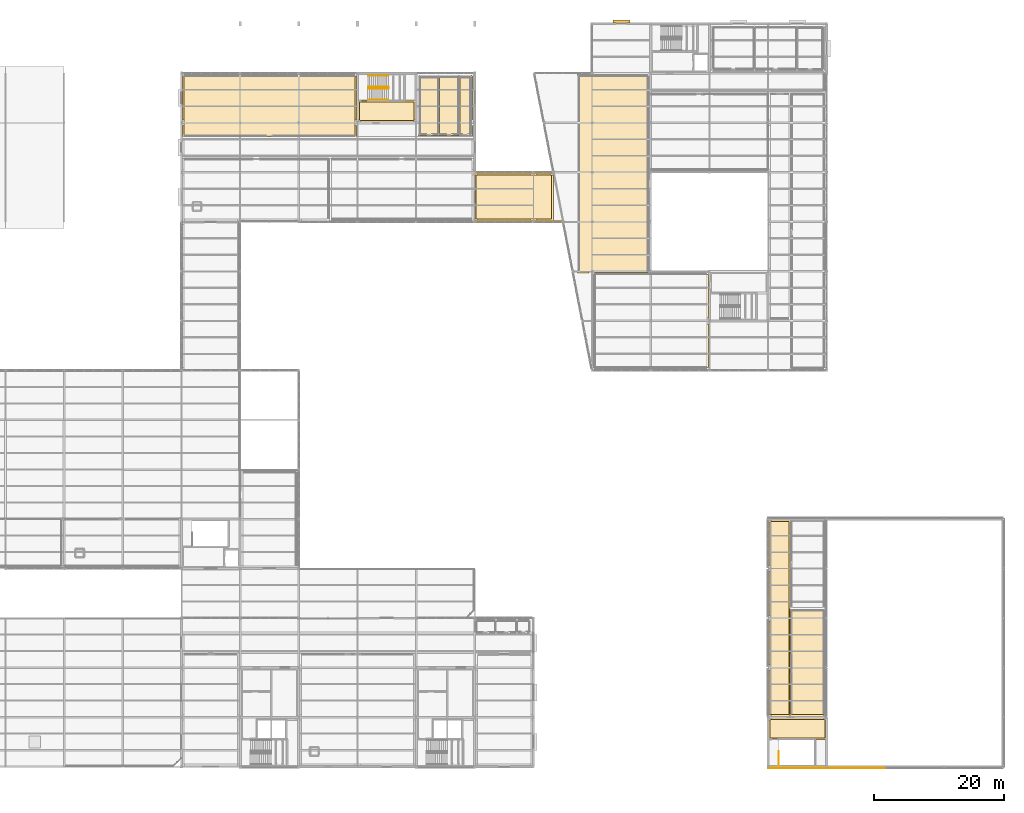
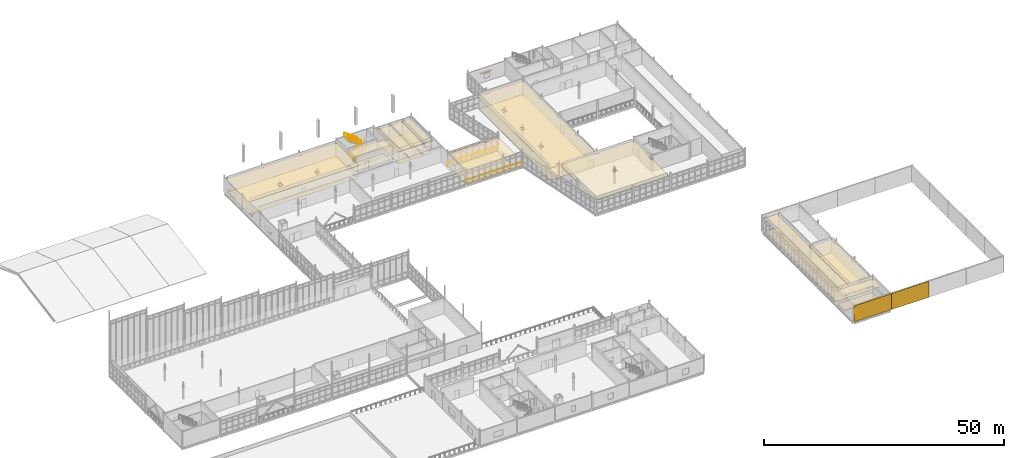
# One storey, part 164 of 166: 23 coverings, 6 railings, 1 shading device.
"""IFC4 building model written with IfcOpenShell, lengths in metres."""

from ifc_helpers import new_model, si_unit, direction, frame, origin, origin_2d, place, context, subcontext, project, spatial, polyline, rectangle, circle, outline, extrude, material, layer, layer_set, type_object, element, save


model = new_model("IFC4")

# Units and contexts
model_context = context("Model", 3, precision=1e-05, world=origin(), true_north=direction((0.0, 1.0)))
body_context = subcontext(model_context, "Body", "Model", "MODEL_VIEW")
ifc_project = project(units=[si_unit("LENGTHUNIT", "METRE"), si_unit("AREAUNIT", "SQUARE_METRE"), si_unit("VOLUMEUNIT", "CUBIC_METRE"), si_unit("PLANEANGLEUNIT", "RADIAN"), si_unit("MASSUNIT", "GRAM", prefix="KILO")], contexts=[model_context])

# Site, building, storey
site_placement = place(None, origin())
site = spatial("IfcSite", under=ifc_project, at=site_placement, CompositionType="ELEMENT")
building_placement = place(site_placement, origin())
building = spatial("IfcBuilding", under=site, at=building_placement, Name="Caisbarro Railhouse Central Library", CompositionType="ELEMENT")
storey_placement = place(building_placement, frame((0.0, 0.0, 9.360107421875)))
storey = spatial("IfcBuildingStorey", under=building, at=storey_placement, Name="L02", CompositionType="ELEMENT", Elevation=9.360107421875)

# Coverings
ifc_material_1 = material(Name="Extruded architectural terracotta rainscreen", Category="masonry")
ifc_layer_1 = layer(ifc_material_1, 0.054931640625, Name="Extruded architectural terracotta rainscreen")
ifc_layer_set_1 = layer_set([ifc_layer_1], Name="Extruded architectural terracotta rainscreen")
covering_type_1 = type_object("IfcCoveringType", Name="CLD-TER01", PredefinedType="CLADDING", material=ifc_layer_set_1)
for number, where, z_axis, x_axis, name in (
    (1, (148.5, -0.17138671875, 0.02978515625), (0.0, 0.0, 1.0), (1.0, 0.0, 0.0), "TER01 facade cladding L02-061"),
    (2, (157.5, -0.17138671875, 0.02978515625), (0.0, 0.0, 1.0), (1.0, 0.0, 0.0), "TER01 facade cladding L02-063"),
):
    element("IfcCovering", number, at=place(storey_placement, frame(where, z_axis=z_axis, x_axis=x_axis)), inside=storey, type_object=covering_type_1, Name=name, PredefinedType="CLADDING", context=body_context, shape_type="SweptSolid", body=[
        extrude(rectangle(XDim=8.9599609375, YDim=0.054931640625, at=origin_2d()), origin(), (0.0, 0.0, 1.0), 4.080078125),
    ])
ifc_material_2 = material(Name="Perforated mineral-fibre acoustic ceiling tile")
ifc_layer_2 = layer(ifc_material_2, 0.01806640625, Name="Perforated mineral-fibre acoustic ceiling tile")
ifc_layer_set_2 = layer_set([ifc_layer_2], Name="Perforated mineral-fibre acoustic ceiling tile")
covering_type_2 = type_object("IfcCoveringType", Name="COV-CL01", PredefinedType="CEILING", material=ifc_layer_set_2)
covering_1_placement = place(storey_placement, frame((0.0, 0.0, 3.25)))
element("IfcCovering", 3, at=covering_1_placement, inside=storey, type_object=covering_type_2, Name="CL01 acoustic ceiling Stair Lobby K5", PredefinedType="CEILING", context=body_context, shape_type="SweptSolid", body=[
    extrude(outline(polyline([(89.9599609375, 102.260009765625), (89.9599609375, 99.239990234375), (89.56005859375, 99.239990234375), (89.56005859375, 98.889892578125), (81.43994140625, 98.889892578125), (81.43994140625, 99.239990234375), (81.0400390625, 99.239990234375), (81.0400390625, 102.260009765625), (89.9599609375, 102.260009765625)])), origin(), (0.0, 0.0, 1.0), 0.017822265625),
])
covering_2_placement = place(storey_placement, frame((0.0, 0.0, 3.25)))
element("IfcCovering", 4, at=covering_2_placement, inside=storey, type_object=covering_type_2, Name="CL01 acoustic ceiling Stair Lobby K9", PredefinedType="CEILING", context=body_context, shape_type="SweptSolid", body=[
    extrude(outline(polyline([(144.43994140625, 7.159912109375), (144.43994140625, 7.510009765625), (152.56005859375, 7.510009765625), (152.56005859375, 7.159912109375), (152.9599609375, 7.159912109375), (152.9599609375, 4.139892578125), (144.0400390625, 4.139892578125), (144.0400390625, 7.159912109375), (144.43994140625, 7.159912109375)])), origin(), (0.0, 0.0, 1.0), 0.017822265625),
])
covering_3_placement = place(storey_placement, frame((0.0, 0.0, 3.25)))
element("IfcCovering", 5, at=covering_3_placement, inside=storey, type_object=covering_type_2, Name="CL01 acoustic ceiling Civic Oral-History Seminar Room", PredefinedType="CEILING", context=body_context, shape_type="SweptSolid", body=[
    extrude(outline(polyline([(62.56005859375, 106.260009765625), (62.56005859375, 105.9599609375), (63.43994140625, 105.9599609375), (63.43994140625, 106.260009765625), (71.56005859375, 106.260009765625), (71.56005859375, 105.9599609375), (72.43994140625, 105.9599609375), (72.43994140625, 106.260009765625), (80.56005859375, 106.260009765625), (80.56005859375, 105.9599609375), (80.860107421875, 105.9599609375), (80.860107421875, 99.239990234375), (80.56005859375, 99.239990234375), (80.56005859375, 98.360107421875), (80.860107421875, 98.360107421875), (80.860107421875, 96.5400390625), (54.139892578125, 96.5400390625), (54.139892578125, 98.360107421875), (54.43994140625, 98.360107421875), (54.43994140625, 99.239990234375), (54.139892578125, 99.239990234375), (54.139892578125, 105.9599609375), (54.43994140625, 105.9599609375), (54.43994140625, 106.260009765625), (62.56005859375, 106.260009765625)]), holes=[polyline([(62.56005859375, 99.239990234375), (62.56005859375, 98.360107421875), (63.43994140625, 98.360107421875), (63.43994140625, 99.239990234375), (62.56005859375, 99.239990234375)]), polyline([(72.43994140625, 98.360107421875), (72.43994140625, 99.239990234375), (71.56005859375, 99.239990234375), (71.56005859375, 98.360107421875), (72.43994140625, 98.360107421875)])]), origin(), (0.0, 0.0, 1.0), 0.017822265625),
])
covering_4_placement = place(storey_placement, frame((0.0, 0.0, 3.25)))
element("IfcCovering", 6, at=covering_4_placement, inside=storey, type_object=covering_type_2, Name="CL01 acoustic ceiling Male WC L02-V6", PredefinedType="CEILING", context=body_context, shape_type="SweptSolid", body=[
    extrude(outline(polyline([(90.43994140625, 98.360107421875), (90.43994140625, 99.239990234375), (90.340087890625, 99.239990234375), (90.340087890625, 105.9599609375), (90.43994140625, 105.9599609375), (90.43994140625, 106.06005859375), (93.676025390625, 106.06005859375), (93.676025390625, 96.739990234375), (90.340087890625, 96.739990234375), (90.340087890625, 98.360107421875), (90.43994140625, 98.360107421875)])), origin(), (0.0, 0.0, 1.0), 0.017822265625),
])
covering_5_placement = place(storey_placement, frame((0.0, 0.0, 3.25)))
element("IfcCovering", 7, at=covering_5_placement, inside=storey, type_object=covering_type_2, Name="CL01 acoustic ceiling Female WC L02-V6", PredefinedType="CEILING", context=body_context, shape_type="SweptSolid", body=[
    extrude(outline(polyline([(93.35595703125, 96.739990234375), (93.35595703125, 106.06005859375), (96.7919921875, 106.06005859375), (96.7919921875, 96.739990234375), (93.35595703125, 96.739990234375)])), origin(), (0.0, 0.0, 1.0), 0.017822265625),
])
covering_6_placement = place(storey_placement, frame((0.0, 0.0, 3.25)))
element("IfcCovering", 8, at=covering_6_placement, inside=storey, type_object=covering_type_2, Name="CL01 acoustic ceiling Accessible WC L02-V6", PredefinedType="CEILING", context=body_context, shape_type="SweptSolid", body=[
    extrude(outline(polyline([(98.56005859375, 106.06005859375), (98.56005859375, 105.9599609375), (98.659912109375, 105.9599609375), (98.659912109375, 99.239990234375), (98.56005859375, 99.239990234375), (98.56005859375, 98.360107421875), (98.659912109375, 98.360107421875), (98.659912109375, 96.739990234375), (96.471923828125, 96.739990234375), (96.471923828125, 106.06005859375), (98.56005859375, 106.06005859375)])), origin(), (0.0, 0.0, 1.0), 0.017822265625),
])
covering_7_placement = place(storey_placement, frame((0.0, 0.0, 3.25)))
element("IfcCovering", 9, at=covering_7_placement, inside=storey, type_object=covering_type_2, Name="CL01 acoustic ceiling Auditorium Technical Corridor L02", PredefinedType="CEILING", context=body_context, shape_type="SweptSolid", body=[
    extrude(outline(polyline([(144.43994140625, 8.0400390625), (144.139892578125, 8.0400390625), (144.139892578125, 14.760009765625), (144.43994140625, 14.760009765625), (144.43994140625, 15.639892578125), (144.139892578125, 15.639892578125), (144.139892578125, 22.360107421875), (144.43994140625, 22.360107421875), (144.43994140625, 23.239990234375), (144.139892578125, 23.239990234375), (144.139892578125, 29.9599609375), (144.43994140625, 29.9599609375), (144.43994140625, 30.840087890625), (144.139892578125, 30.840087890625), (144.139892578125, 37.56005859375), (144.43994140625, 37.56005859375), (144.43994140625, 37.860107421875), (147.4599609375, 37.860107421875), (147.4599609375, 7.739990234375), (144.43994140625, 7.739990234375), (144.43994140625, 8.0400390625)])), origin(), (0.0, 0.0, 1.0), 0.017822265625),
])
covering_8_placement = place(storey_placement, frame((0.0, 0.0, 3.25)))
element("IfcCovering", 10, at=covering_8_placement, inside=storey, type_object=covering_type_2, Name="CL01 acoustic ceiling Projection and Simultaneous-Interpretation Booth", PredefinedType="CEILING", context=body_context, shape_type="SweptSolid", body=[
    extrude(outline(polyline([(152.860107421875, 23.239990234375), (152.56005859375, 23.239990234375), (152.56005859375, 22.360107421875), (152.860107421875, 22.360107421875), (152.860107421875, 15.639892578125), (152.56005859375, 15.639892578125), (152.56005859375, 14.760009765625), (152.860107421875, 14.760009765625), (152.860107421875, 8.0400390625), (152.56005859375, 8.0400390625), (152.56005859375, 7.739990234375), (147.340087890625, 7.739990234375), (147.340087890625, 24.260009765625), (152.860107421875, 24.260009765625), (152.860107421875, 23.239990234375)])), origin(), (0.0, 0.0, 1.0), 0.017822265625),
])
ifc_material_3 = material(Name="Slatted acoustic timber baffle ceiling", Category="wood")
ifc_layer_3 = layer(ifc_material_3, 0.031982421875, Name="Slatted acoustic timber baffle ceiling")
ifc_layer_set_3 = layer_set([ifc_layer_3], Name="Slatted acoustic timber baffle ceiling")
covering_type_3 = type_object("IfcCoveringType", Name="COV-CL02", PredefinedType="CEILING", material=ifc_layer_set_3)
covering_9_placement = place(storey_placement, frame((0.0, 0.0, 3.25)))
element("IfcCovering", 11, at=covering_9_placement, inside=storey, type_object=covering_type_3, Name="CL02 acoustic ceiling Courtyard Reading Bridge East L02", PredefinedType="CEILING", context=body_context, shape_type="SweptSolid", body=[
    extrude(outline(polyline([(108.43994140625, 84.0400390625), (107.56005859375, 84.0400390625), (107.56005859375, 83.739990234375), (99.43994140625, 83.739990234375), (99.43994140625, 84.0400390625), (98.93994140625, 84.0400390625), (98.93994140625, 90.760009765625), (99.43994140625, 90.760009765625), (99.43994140625, 91.06005859375), (107.56005859375, 91.06005859375), (107.56005859375, 90.760009765625), (108.43994140625, 90.760009765625), (108.43994140625, 91.06005859375), (110.65087890625, 91.06005859375), (110.65087890625, 90.760009765625), (111.06005859375, 90.760009765625), (111.06005859375, 83.739990234375), (108.43994140625, 83.739990234375), (108.43994140625, 84.0400390625)])), origin(), (0.0, 0.0, 1.0), 0.031982421875),
])
covering_10_placement = place(storey_placement, frame((0.0, 0.0, 3.25)))
element("IfcCovering", 12, at=covering_10_placement, inside=storey, type_object=covering_type_3, Name="CL02 acoustic ceiling Music and Fine-Arts Reading Room", PredefinedType="CEILING", context=body_context, shape_type="SweptSolid", body=[
    extrude(outline(polyline([(117.43994140625, 61.239990234375), (117.139892578125, 61.239990234375), (117.139892578125, 67.9599609375), (117.43994140625, 67.9599609375), (117.43994140625, 68.840087890625), (117.139892578125, 68.840087890625), (117.139892578125, 75.56005859375), (117.43994140625, 75.56005859375), (117.43994140625, 75.860107421875), (125.56005859375, 75.860107421875), (125.56005859375, 75.56005859375), (126.43994140625, 75.56005859375), (126.43994140625, 75.860107421875), (134.56005859375, 75.860107421875), (134.56005859375, 75.56005859375), (134.860107421875, 75.56005859375), (134.860107421875, 68.840087890625), (134.56005859375, 68.840087890625), (134.56005859375, 67.9599609375), (134.860107421875, 67.9599609375), (134.860107421875, 61.239990234375), (134.56005859375, 61.239990234375), (134.56005859375, 60.93994140625), (126.43994140625, 60.93994140625), (126.43994140625, 61.239990234375), (125.56005859375, 61.239990234375), (125.56005859375, 60.93994140625), (117.43994140625, 60.93994140625), (117.43994140625, 61.239990234375)]), holes=[polyline([(126.43994140625, 68.840087890625), (125.56005859375, 68.840087890625), (125.56005859375, 67.9599609375), (126.43994140625, 67.9599609375), (126.43994140625, 68.840087890625)])]), origin(), (0.0, 0.0, 1.0), 0.031982421875),
])
covering_11_placement = place(storey_placement, frame((0.0, 0.0, 3.25)))
element("IfcCovering", 13, at=covering_11_placement, inside=storey, type_object=covering_type_3, Name="CL02 acoustic ceiling Splayed Courtyard Reading Room L02", PredefinedType="CEILING", context=body_context, shape_type="SweptSolid", body=[
    extrude(outline(polyline([(116.56005859375, 106.260009765625), (116.56005859375, 105.9599609375), (117.43994140625, 105.9599609375), (117.43994140625, 106.260009765625), (125.56005859375, 106.260009765625), (125.56005859375, 105.9599609375), (125.860107421875, 105.9599609375), (125.860107421875, 99.239990234375), (125.56005859375, 99.239990234375), (125.56005859375, 98.360107421875), (125.860107421875, 98.360107421875), (125.860107421875, 91.639892578125), (125.56005859375, 91.639892578125), (125.56005859375, 90.760009765625), (125.860107421875, 90.760009765625), (125.860107421875, 84.0400390625), (125.56005859375, 84.0400390625), (125.56005859375, 83.159912109375), (125.860107421875, 83.159912109375), (125.860107421875, 76.43994140625), (125.56005859375, 76.43994140625), (125.56005859375, 75.739990234375), (117.43994140625, 75.739990234375), (117.43994140625, 76.43994140625), (116.56005859375, 76.43994140625), (116.56005859375, 75.739990234375), (114.739990234375, 75.739990234375), (114.739990234375, 106.260009765625), (116.56005859375, 106.260009765625)]), holes=[polyline([(117.43994140625, 84.0400390625), (116.56005859375, 84.0400390625), (116.56005859375, 83.159912109375), (117.43994140625, 83.159912109375), (117.43994140625, 84.0400390625)]), polyline([(117.43994140625, 90.760009765625), (117.43994140625, 91.639892578125), (116.56005859375, 91.639892578125), (116.56005859375, 90.760009765625), (117.43994140625, 90.760009765625)]), polyline([(116.56005859375, 98.360107421875), (117.43994140625, 98.360107421875), (117.43994140625, 99.239990234375), (116.56005859375, 99.239990234375), (116.56005859375, 98.360107421875)])]), origin(), (0.0, 0.0, 1.0), 0.031982421875),
])
ifc_material_4 = material(Name="Polished cementitious terrazzo flooring")
ifc_layer_4 = layer(ifc_material_4, 0.02197265625, Name="Polished cementitious terrazzo flooring")
ifc_layer_set_4 = layer_set([ifc_layer_4], Name="Polished cementitious terrazzo flooring")
covering_type_4 = type_object("IfcCoveringType", Name="COV-FL01", PredefinedType="FLOORING", material=ifc_layer_set_4)
covering_12_placement = place(storey_placement, origin())
element("IfcCovering", 14, at=covering_12_placement, inside=storey, type_object=covering_type_4, Name="FL01 flooring Stair Lobby K5", PredefinedType="FLOORING", context=body_context, shape_type="SweptSolid", body=[
    extrude(outline(polyline([(81.300048828125, 99.14990234375), (89.699951171875, 99.14990234375), (89.699951171875, 102.0), (81.300048828125, 102.0), (81.300048828125, 99.14990234375)])), origin(), (0.0, 0.0, 1.0), 0.02197265625),
])
covering_13_placement = place(storey_placement, origin())
element("IfcCovering", 15, at=covering_13_placement, inside=storey, type_object=covering_type_4, Name="FL01 flooring Stair Lobby K9", PredefinedType="FLOORING", context=body_context, shape_type="SweptSolid", body=[
    extrude(outline(polyline([(144.300048828125, 4.39990234375), (152.699951171875, 4.39990234375), (152.699951171875, 7.25), (144.300048828125, 7.25), (144.300048828125, 4.39990234375)])), origin(), (0.0, 0.0, 1.0), 0.02197265625),
])
covering_14_placement = place(storey_placement, origin())
element("IfcCovering", 16, at=covering_14_placement, inside=storey, type_object=covering_type_4, Name="FL01 flooring Auditorium Technical Corridor L02", PredefinedType="FLOORING", context=body_context, shape_type="SweptSolid", body=[
    extrude(outline(polyline([(144.39990234375, 8.0), (147.199951171875, 8.0), (147.199951171875, 37.60009765625), (144.39990234375, 37.60009765625), (144.39990234375, 8.0)])), origin(), (0.0, 0.0, 1.0), 0.02197265625),
])
ifc_material_5 = material(Name="Heavy-duty acoustic linoleum flooring")
ifc_layer_5 = layer(ifc_material_5, 0.011962890625, Name="Heavy-duty acoustic linoleum flooring")
ifc_layer_set_5 = layer_set([ifc_layer_5], Name="Heavy-duty acoustic linoleum flooring")
covering_type_5 = type_object("IfcCoveringType", Name="COV-FL02", PredefinedType="FLOORING", material=ifc_layer_set_5)
covering_15_placement = place(storey_placement, origin())
element("IfcCovering", 17, at=covering_15_placement, inside=storey, type_object=covering_type_5, Name="FL02 flooring Courtyard Reading Bridge East L02", PredefinedType="FLOORING", context=body_context, shape_type="SweptSolid", body=[
    extrude(outline(polyline([(99.199951171875, 84.0), (110.800048828125, 84.0), (110.800048828125, 90.800048828125), (99.199951171875, 90.800048828125), (99.199951171875, 84.0)])), origin(), (0.0, 0.0, 1.0), 0.011962890625),
])
covering_16_placement = place(storey_placement, origin())
element("IfcCovering", 18, at=covering_16_placement, inside=storey, type_object=covering_type_5, Name="FL02 flooring Civic Oral-History Seminar Room", PredefinedType="FLOORING", context=body_context, shape_type="SweptSolid", body=[
    extrude(outline(polyline([(54.39990234375, 96.800048828125), (80.60009765625, 96.800048828125), (80.60009765625, 106.0), (54.39990234375, 106.0), (54.39990234375, 96.800048828125)])), origin(), (0.0, 0.0, 1.0), 0.011962890625),
])
covering_17_placement = place(storey_placement, origin())
element("IfcCovering", 19, at=covering_17_placement, inside=storey, type_object=covering_type_5, Name="FL02 flooring Male WC L02-V6", PredefinedType="FLOORING", context=body_context, shape_type="SweptSolid", body=[
    extrude(outline(polyline([(90.60009765625, 97.0), (93.416015625, 97.0), (93.416015625, 105.800048828125), (90.60009765625, 105.800048828125), (90.60009765625, 97.0)])), origin(), (0.0, 0.0, 1.0), 0.011962890625),
])
covering_18_placement = place(storey_placement, origin())
element("IfcCovering", 20, at=covering_18_placement, inside=storey, type_object=covering_type_5, Name="FL02 flooring Female WC L02-V6", PredefinedType="FLOORING", context=body_context, shape_type="SweptSolid", body=[
    extrude(outline(polyline([(93.615966796875, 97.0), (96.531982421875, 97.0), (96.531982421875, 105.800048828125), (93.615966796875, 105.800048828125), (93.615966796875, 97.0)])), origin(), (0.0, 0.0, 1.0), 0.011962890625),
])
covering_19_placement = place(storey_placement, origin())
element("IfcCovering", 21, at=covering_19_placement, inside=storey, type_object=covering_type_5, Name="FL02 flooring Accessible WC L02-V6", PredefinedType="FLOORING", context=body_context, shape_type="SweptSolid", body=[
    extrude(outline(polyline([(96.73193359375, 97.0), (98.39990234375, 97.0), (98.39990234375, 105.800048828125), (96.73193359375, 105.800048828125), (96.73193359375, 97.0)])), origin(), (0.0, 0.0, 1.0), 0.011962890625),
])
covering_20_placement = place(storey_placement, origin())
element("IfcCovering", 22, at=covering_20_placement, inside=storey, type_object=covering_type_5, Name="FL02 flooring Splayed Courtyard Reading Room L02", PredefinedType="FLOORING", context=body_context, shape_type="SweptSolid", body=[
    extrude(outline(polyline([(115.0, 76.0), (125.60009765625, 76.0), (125.60009765625, 106.0), (115.0, 106.0), (115.0, 76.0)])), origin(), (0.0, 0.0, 1.0), 0.011962890625),
])
covering_21_placement = place(storey_placement, origin())
element("IfcCovering", 23, at=covering_21_placement, inside=storey, type_object=covering_type_5, Name="FL02 flooring Projection and Simultaneous-Interpretation Booth", PredefinedType="FLOORING", context=body_context, shape_type="SweptSolid", body=[
    extrude(outline(polyline([(147.60009765625, 8.0), (152.60009765625, 8.0), (152.60009765625, 24.0), (147.60009765625, 24.0), (147.60009765625, 8.0)])), origin(), (0.0, 0.0, 1.0), 0.011962890625),
])

# Railings
ifc_material_6 = material(Name="Laminated safety glass balustrade with stainless top rail", Category="glass")
railing_type_1 = type_object("IfcRailingType", Name="RLG-ATR112", PredefinedType="GUARDRAIL", material=ifc_material_6)
railing_1_placement = place(storey_placement, frame((99.0, 83.699951171875, 0.0)))
element("IfcRailing", 24, at=railing_1_placement, inside=storey, type_object=railing_type_1, Name="RG02 Interior Void Balustrade L02-22", PredefinedType="GUARDRAIL", context=body_context, shape_type="SweptSolid", body=[
    extrude(circle(Radius=0.02392578125, at=origin_2d()), frame((0.0, 0.0, 1.09619140625), z_axis=(1.0, 0.0, 0.0), x_axis=(0.0, 1.0, 0.0)), (0.0, 0.0, 1.0), 13.568115234375),
    extrude(circle(Radius=0.02099609375, at=origin_2d()), origin(), (0.0, 0.0, 1.0), 1.072021484375),
    extrude(circle(Radius=0.02099609375, at=origin_2d()), frame((1.130615234375, 0.0, 0.0)), (0.0, 0.0, 1.0), 1.072021484375),
    extrude(circle(Radius=0.02099609375, at=origin_2d()), frame((2.26123046875, 0.0, 0.0)), (0.0, 0.0, 1.0), 1.072021484375),
    extrude(circle(Radius=0.02099609375, at=origin_2d()), frame((3.39208984375, 0.0, 0.0)), (0.0, 0.0, 1.0), 1.072021484375),
    extrude(circle(Radius=0.02099609375, at=origin_2d()), frame((4.522705078125, 0.0, 0.0)), (0.0, 0.0, 1.0), 1.072021484375),
    extrude(circle(Radius=0.02099609375, at=origin_2d()), frame((5.6533203125, 0.0, 0.0)), (0.0, 0.0, 1.0), 1.072021484375),
    extrude(circle(Radius=0.02099609375, at=origin_2d()), frame((6.7841796875, 0.0, 0.0)), (0.0, 0.0, 1.0), 1.072021484375),
    extrude(circle(Radius=0.02099609375, at=origin_2d()), frame((7.914794921875, 0.0, 0.0)), (0.0, 0.0, 1.0), 1.072021484375),
    extrude(circle(Radius=0.02099609375, at=origin_2d()), frame((9.04541015625, 0.0, 0.0)), (0.0, 0.0, 1.0), 1.072021484375),
    extrude(circle(Radius=0.02099609375, at=origin_2d()), frame((10.176025390625, 0.0, 0.0)), (0.0, 0.0, 1.0), 1.072021484375),
    extrude(circle(Radius=0.02099609375, at=origin_2d()), frame((11.306640625, 0.0, 0.0)), (0.0, 0.0, 1.0), 1.072021484375),
    extrude(circle(Radius=0.02099609375, at=origin_2d()), frame((12.4375, 0.0, 0.0)), (0.0, 0.0, 1.0), 1.072021484375),
    extrude(circle(Radius=0.02099609375, at=origin_2d()), frame((13.568115234375, 0.0, 0.0)), (0.0, 0.0, 1.0), 1.072021484375),
])
railing_2_placement = place(storey_placement, frame((99.0, 91.10009765625, 0.0)))
element("IfcRailing", 25, at=railing_2_placement, inside=storey, type_object=railing_type_1, Name="RG02 Interior Void Balustrade L02-23", PredefinedType="GUARDRAIL", context=body_context, shape_type="SweptSolid", body=[
    extrude(circle(Radius=0.02392578125, at=origin_2d()), frame((0.0, 0.0, 1.09619140625), z_axis=(1.0, 0.0, 0.0), x_axis=(0.0, 1.0, 0.0)), (0.0, 0.0, 1.0), 12.091064453125),
    extrude(circle(Radius=0.02099609375, at=origin_2d()), origin(), (0.0, 0.0, 1.0), 1.072021484375),
    extrude(circle(Radius=0.02099609375, at=origin_2d()), frame((1.09912109375, 0.0, 0.0)), (0.0, 0.0, 1.0), 1.072021484375),
    extrude(circle(Radius=0.02099609375, at=origin_2d()), frame((2.198486328125, 0.0, 0.0)), (0.0, 0.0, 1.0), 1.072021484375),
    extrude(circle(Radius=0.02099609375, at=origin_2d()), frame((3.297607421875, 0.0, 0.0)), (0.0, 0.0, 1.0), 1.072021484375),
    extrude(circle(Radius=0.02099609375, at=origin_2d()), frame((4.396728515625, 0.0, 0.0)), (0.0, 0.0, 1.0), 1.072021484375),
    extrude(circle(Radius=0.02099609375, at=origin_2d()), frame((5.495849609375, 0.0, 0.0)), (0.0, 0.0, 1.0), 1.072021484375),
    extrude(circle(Radius=0.02099609375, at=origin_2d()), frame((6.59521484375, 0.0, 0.0)), (0.0, 0.0, 1.0), 1.072021484375),
    extrude(circle(Radius=0.02099609375, at=origin_2d()), frame((7.6943359375, 0.0, 0.0)), (0.0, 0.0, 1.0), 1.072021484375),
    extrude(circle(Radius=0.02099609375, at=origin_2d()), frame((8.79345703125, 0.0, 0.0)), (0.0, 0.0, 1.0), 1.072021484375),
    extrude(circle(Radius=0.02099609375, at=origin_2d()), frame((9.892578125, 0.0, 0.0)), (0.0, 0.0, 1.0), 1.072021484375),
    extrude(circle(Radius=0.02099609375, at=origin_2d()), frame((10.991943359375, 0.0, 0.0)), (0.0, 0.0, 1.0), 1.072021484375),
    extrude(circle(Radius=0.02099609375, at=origin_2d()), frame((12.091064453125, 0.0, 0.0)), (0.0, 0.0, 1.0), 1.072021484375),
])
ifc_material_7 = material(Name="Brushed stainless steel Grade 316", Category="steel")
railing_type_2 = type_object("IfcRailingType", Name="RLG-STR092", PredefinedType="HANDRAIL", material=ifc_material_7)
railing_3_placement = place(storey_placement, frame((82.64990234375, 102.340087890625, 0.0)))
element("IfcRailing", 26, at=railing_3_placement, inside=storey, type_object=railing_type_2, Name="Stair ST-05 Outer Handrail F1 L02", PredefinedType="HANDRAIL", context=body_context, shape_type="SweptSolid", body=[
    extrude(circle(Radius=0.02392578125, at=origin_2d()), frame((0.0, 0.0, 0.89599609375), z_axis=(0.819624179701, 0.0, 0.572901565759), x_axis=(0.0, 1.0, 0.0)), (0.0, 0.0, 1.0), 3.77001953125),
    extrude(circle(Radius=0.02099609375, at=origin_2d()), origin(), (0.0, 0.0, 1.0), 0.871826171875),
    extrude(circle(Radius=0.02099609375, at=origin_2d()), frame((0.7724609375, 0.0, 0.5400390625)), (0.0, 0.0, 1.0), 0.871826171875),
    extrude(circle(Radius=0.02099609375, at=origin_2d()), frame((1.544921875, 0.0, 1.080078125)), (0.0, 0.0, 1.0), 0.871826171875),
    extrude(circle(Radius=0.02099609375, at=origin_2d()), frame((2.317626953125, 0.0, 1.619873046875)), (0.0, 0.0, 1.0), 0.871826171875),
    extrude(circle(Radius=0.02099609375, at=origin_2d()), frame((3.090087890625, 0.0, 2.159912109375)), (0.0, 0.0, 1.0), 0.871826171875),
])
railing_4_placement = place(storey_placement, frame((85.739990234375, 106.010009765625, 2.159912109375)))
element("IfcRailing", 27, at=railing_4_placement, inside=storey, type_object=railing_type_2, Name="Stair ST-05 Outer Handrail F2 L02", PredefinedType="HANDRAIL", context=body_context, shape_type="SweptSolid", body=[
    extrude(circle(Radius=0.02392578125, at=origin_2d()), frame((0.0, 0.0, 0.89599609375), z_axis=(-0.819624179701, 0.0, 0.572901565759), x_axis=(0.0, -1.0, 0.0)), (0.0, 0.0, 1.0), 3.77001953125),
    extrude(circle(Radius=0.02099609375, at=origin_2d()), origin(), (0.0, 0.0, 1.0), 0.871826171875),
    extrude(circle(Radius=0.02099609375, at=origin_2d()), frame((-0.7724609375, 0.0, 0.5400390625)), (0.0, 0.0, 1.0), 0.871826171875),
    extrude(circle(Radius=0.02099609375, at=origin_2d()), frame((-1.544921875, 0.0, 1.080078125)), (0.0, 0.0, 1.0), 0.871826171875),
    extrude(circle(Radius=0.02099609375, at=origin_2d()), frame((-2.317626953125, 0.0, 1.619873046875)), (0.0, 0.0, 1.0), 0.871826171875),
    extrude(circle(Radius=0.02099609375, at=origin_2d()), frame((-3.090087890625, 0.0, 2.159912109375)), (0.0, 0.0, 1.0), 0.871826171875),
])
railing_type_3 = type_object("IfcRailingType", Name="RLG-STR110", PredefinedType="GUARDRAIL", material=ifc_material_7)
railing_5_placement = place(storey_placement, frame((82.64990234375, 104.0400390625, 0.0)))
element("IfcRailing", 28, at=railing_5_placement, inside=storey, type_object=railing_type_3, Name="Stair ST-05 Inner Well Guardrail L02", PredefinedType="GUARDRAIL", context=body_context, shape_type="SweptSolid", body=[
    extrude(circle(Radius=0.02392578125, at=origin_2d()), frame((0.0, 0.0, 1.076171875), z_axis=(0.819624179701, 0.0, 0.572901565759), x_axis=(0.0, 1.0, 0.0)), (0.0, 0.0, 1.0), 3.77001953125),
    extrude(circle(Radius=0.02392578125, at=origin_2d()), frame((3.090087890625, 0.0, 3.23583984375), z_axis=(0.0, 1.0, 0.0), x_axis=(-1.0, 0.0, 0.0)), (0.0, 0.0, 1.0), 0.27001953125),
    extrude(circle(Radius=0.02392578125, at=origin_2d()), frame((3.090087890625, 0.27001953125, 3.23583984375), z_axis=(-0.819624179701, 0.0, 0.572901565759), x_axis=(0.0, -1.0, 0.0)), (0.0, 0.0, 1.0), 3.77001953125),
    extrude(circle(Radius=0.02099609375, at=origin_2d()), origin(), (0.0, 0.0, 1.0), 1.052001953125),
    extrude(circle(Radius=0.02099609375, at=origin_2d()), frame((0.7724609375, 0.0, 0.5400390625)), (0.0, 0.0, 1.0), 1.052001953125),
    extrude(circle(Radius=0.02099609375, at=origin_2d()), frame((1.544921875, 0.0, 1.080078125)), (0.0, 0.0, 1.0), 1.052001953125),
    extrude(circle(Radius=0.02099609375, at=origin_2d()), frame((2.317626953125, 0.0, 1.619873046875)), (0.0, 0.0, 1.0), 1.052001953125),
    extrude(circle(Radius=0.02099609375, at=origin_2d()), frame((3.090087890625, 0.0, 2.159912109375)), (0.0, 0.0, 1.0), 1.052001953125),
    extrude(circle(Radius=0.02099609375, at=origin_2d()), frame((3.090087890625, 0.27001953125, 2.159912109375)), (0.0, 0.0, 1.0), 1.052001953125),
    extrude(circle(Radius=0.02099609375, at=origin_2d()), frame((2.317626953125, 0.27001953125, 2.699951171875)), (0.0, 0.0, 1.0), 1.052001953125),
    extrude(circle(Radius=0.02099609375, at=origin_2d()), frame((1.544921875, 0.27001953125, 3.23974609375)), (0.0, 0.0, 1.0), 1.052001953125),
    extrude(circle(Radius=0.02099609375, at=origin_2d()), frame((0.7724609375, 0.27001953125, 3.77978515625)), (0.0, 0.0, 1.0), 1.052001953125),
    extrude(circle(Radius=0.02099609375, at=origin_2d()), frame((0.0, 0.27001953125, 4.31982421875)), (0.0, 0.0, 1.0), 1.052001953125),
])
railing_6_placement = place(storey_placement, frame((145.64990234375, 0.35009765625, 0.0)))
element("IfcRailing", 29, at=railing_6_placement, inside=storey, type_object=railing_type_3, Name="Stair ST-09 Top Landing Guardrail L02", PredefinedType="GUARDRAIL", context=body_context, shape_type="SweptSolid", body=[
    extrude(circle(Radius=0.02392578125, at=origin_2d()), frame((0.0, 0.0, 1.076171875), z_axis=(0.0, 1.0, 0.0), x_axis=(-1.0, 0.0, 0.0)), (0.0, 0.0, 1.0), 1.969970703125),
    extrude(circle(Radius=0.02099609375, at=origin_2d()), origin(), (0.0, 0.0, 1.0), 1.052001953125),
    extrude(circle(Radius=0.02099609375, at=origin_2d()), frame((0.0, 0.98486328125, 0.0)), (0.0, 0.0, 1.0), 1.052001953125),
    extrude(circle(Radius=0.02099609375, at=origin_2d()), frame((0.0, 1.969970703125, 0.0)), (0.0, 0.0, 1.0), 1.052001953125),
])

# Shading device
ifc_material_8 = material(Name="Anodised architectural aluminium", Category="aluminium")
ifc_layer_6 = layer(ifc_material_8, 0.050048828125, Name="Anodised architectural aluminium")
ifc_layer_set_6 = layer_set([ifc_layer_6], Name="Anodised architectural aluminium")
shading_device_type = type_object("IfcShadingDeviceType", Name="SHD-JAL01", PredefinedType="JALOUSIE", material=ifc_layer_set_6)
shading_device_placement = place(storey_placement, frame((121.5, 114.330078125, 2.0849609375), z_axis=(0.0, 0.0, 1.0), x_axis=(1.0, 0.0, 0.0)))
element("IfcShadingDevice", 30, at=shading_device_placement, inside=storey, type_object=shading_device_type, Name="JL01 solar brise-soleil L02-32", PredefinedType="JALOUSIE", context=body_context, shape_type="SweptSolid", body=[
    extrude(rectangle(XDim=2.60009765625, YDim=0.47998046875, at=origin_2d()), origin(), (0.0, 0.0, 1.0), 0.050048828125),
])

save(model, "model.ifc")
